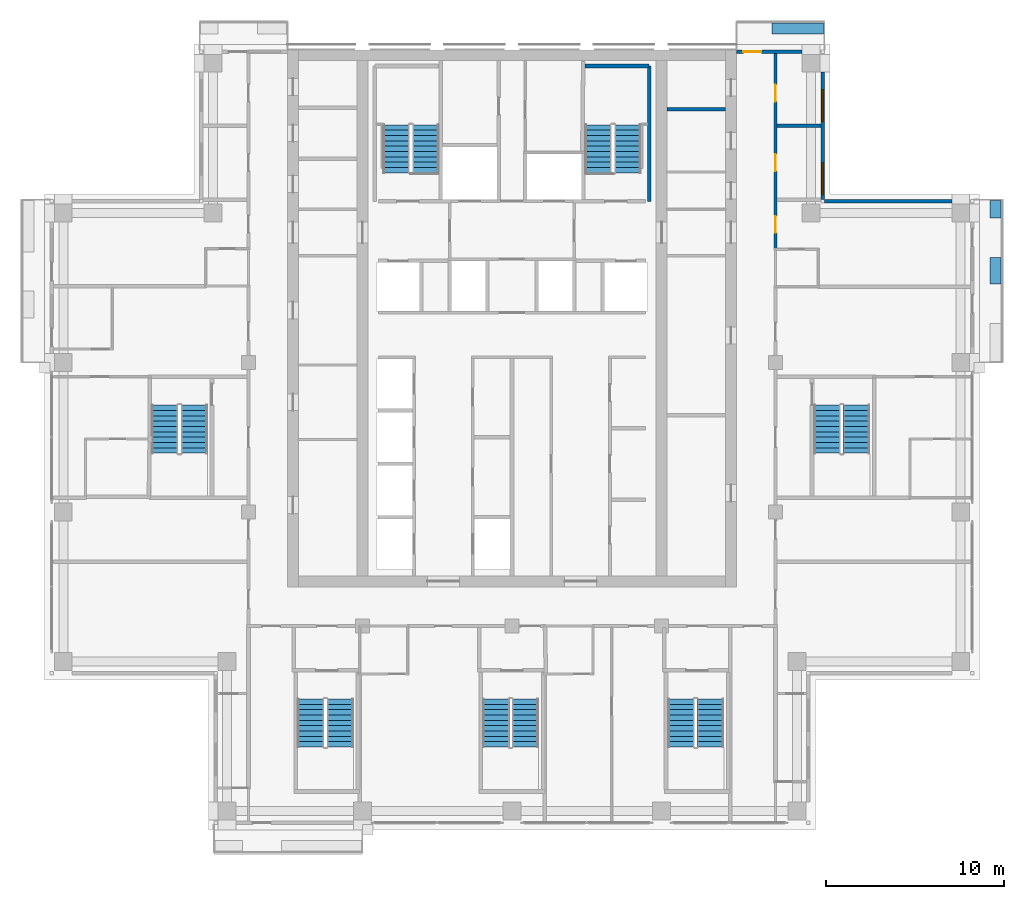
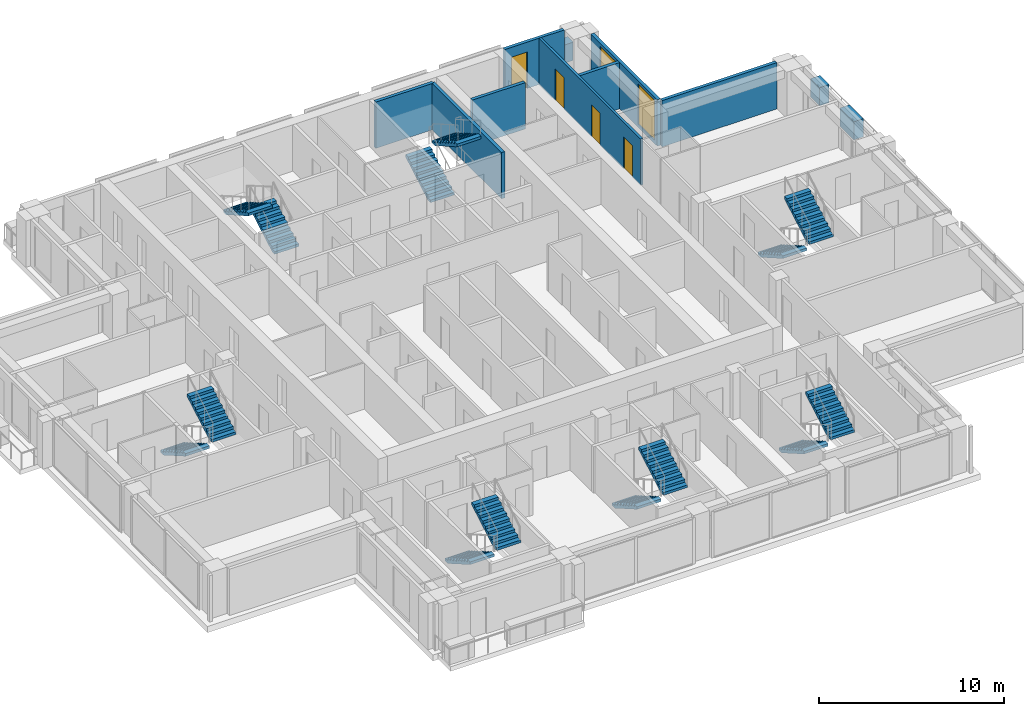
# One storey, part 13 of 16: 14 stair flights, 11 walls, 4 doors, 2 windows, 6 openings, 7 elements without a shape of their own.
"""IFC4 building model written with IfcOpenShell, lengths in metres."""

from ifc_helpers import new_model, si_unit, direction, frame, frame_2d, origin, place, context, subcontext, project, spatial, polyline, rectangle, outline, extrude, material, layer, layer_set, type_object, element, fill, aggregate, save


model = new_model("IFC4")

# Units and contexts
model_context = context("Model", 3, precision=1e-05, world=origin(), true_north=direction((0.0, 1.0)))
body_context = subcontext(model_context, "Body", "Model", "MODEL_VIEW")
ifc_project = project(units=[si_unit("LENGTHUNIT", "METRE"), si_unit("AREAUNIT", "SQUARE_METRE"), si_unit("VOLUMEUNIT", "CUBIC_METRE"), si_unit("PLANEANGLEUNIT", "RADIAN"), si_unit("MASSUNIT", "GRAM", prefix="KILO")], contexts=[model_context])

# Site, building, storey
site_placement = place(None, origin())
site = spatial("IfcSite", under=ifc_project, at=site_placement, CompositionType="ELEMENT")
building_placement = place(site_placement, origin())
building = spatial("IfcBuilding", under=site, at=building_placement, Name="Vermilion Ogive Tower", CompositionType="ELEMENT")
storey_placement = place(building_placement, frame((0.0, 0.0, 179.0)))
storey = spatial("IfcBuildingStorey", under=building, at=storey_placement, Name="L46", CompositionType="ELEMENT", Elevation=179.0)

# Wall, openings, doors
ifc_material_1 = material(Name="Gypsum board partition on steel studs", Category="steel")
ifc_layer_1 = layer(ifc_material_1, 0.14990234375)
ifc_layer_set_1 = layer_set([ifc_layer_1], Name="Partition 150 corridor")
wall_type_1 = type_object("IfcWallType", Name="Partition 150 corridor", PredefinedType="PARTITIONING", material=ifc_layer_set_1)
wall_1_placement = place(storey_placement, frame((14.800048828125, 10.60009765625, 0.0), z_axis=(0.0, 0.0, 1.0), x_axis=(0.0, 1.0, 0.0)))
wall_1 = element("IfcWall", 1, at=wall_1_placement, inside=storey, type_object=wall_type_1, Name="L46-W-W074", PredefinedType="PARTITIONING", context=body_context, shape_type="SweptSolid", body=[
    extrude(rectangle(XDim=10.949951171875, YDim=0.14990234375, at=frame_2d((5.47509765625, 0.0))), origin(), (0.0, 0.0, 1.0), 3.050048828125),
])
opening_1_placement = place(wall_1_placement, frame((0.875, 0.0, 0.0)))
opening_1 = element("IfcOpeningElement", 2, at=opening_1_placement, cuts=wall_1, Name="Opening D4G1023", PredefinedType="OPENING", context=body_context, shape_type="SweptSolid", body=[
    extrude(rectangle(XDim=0.949951171875, YDim=2.10009765625, at=frame_2d((0.47509765625, 1.050048828125))), frame((0.0, 0.0849609375, 0.0), z_axis=(0.0, -1.0, 0.0), x_axis=(1.0, 0.0, 0.0)), (0.0, 0.0, 1.0), 0.169921875),
])
opening_2_placement = place(wall_1_placement, frame((4.349853515625, 0.0, 0.0)))
opening_2 = element("IfcOpeningElement", 3, at=opening_2_placement, cuts=wall_1, Name="Opening D4G1025", PredefinedType="OPENING", context=body_context, shape_type="SweptSolid", body=[
    extrude(rectangle(XDim=0.949951171875, YDim=2.10009765625, at=frame_2d((0.47509765625, 1.050048828125))), frame((0.0, 0.0849609375, 0.0), z_axis=(0.0, -1.0, 0.0), x_axis=(1.0, 0.0, 0.0)), (0.0, 0.0, 1.0), 0.169921875),
])
opening_3_placement = place(wall_1_placement, frame((8.25, 0.0, 0.0)))
opening_3 = element("IfcOpeningElement", 4, at=opening_3_placement, cuts=wall_1, Name="Opening D4G1026", PredefinedType="OPENING", context=body_context, shape_type="SweptSolid", body=[
    extrude(rectangle(XDim=0.949951171875, YDim=2.10009765625, at=frame_2d((0.47509765625, 1.050048828125))), frame((0.0, 0.0849609375, 0.0), z_axis=(0.0, -1.0, 0.0), x_axis=(1.0, 0.0, 0.0)), (0.0, 0.0, 1.0), 0.169921875),
])
ifc_material_2 = material(Name="Timber door leaf", Category="wood")
door_type_1 = type_object("IfcDoorType", Name="Unit door 950 x 2100 FD30S", OperationType="SINGLE_SWING_LEFT", PredefinedType="DOOR", material=ifc_material_2)
door_1_placement = place(opening_1_placement, origin())
door_1 = element("IfcDoor", 5, at=door_1_placement, inside=storey, type_object=door_type_1, Name="L46-D-D023", OperationType="SINGLE_SWING_RIGHT", OverallHeight=2.10009765625, OverallWidth=0.949951171875, PredefinedType="DOOR", context=body_context, shape_type="SweptSolid", body=[
    extrude(rectangle(XDim=0.949951171875, YDim=2.10009765625, at=frame_2d((0.47509765625, 1.050048828125))), frame((0.0, 0.02490234375, 0.0), z_axis=(0.0, -1.0, 0.0), x_axis=(1.0, 0.0, 0.0)), (0.0, 0.0, 1.0), 0.050048828125),
])
fill(opening_1, door_1)
door_2_placement = place(opening_2_placement, origin())
door_2 = element("IfcDoor", 6, at=door_2_placement, inside=storey, type_object=door_type_1, Name="L46-D-D025", OperationType="SINGLE_SWING_RIGHT", OverallHeight=2.10009765625, OverallWidth=0.949951171875, PredefinedType="DOOR", context=body_context, shape_type="SweptSolid", body=[
    extrude(rectangle(XDim=0.949951171875, YDim=2.10009765625, at=frame_2d((0.47509765625, 1.050048828125))), frame((0.0, 0.02490234375, 0.0), z_axis=(0.0, -1.0, 0.0), x_axis=(1.0, 0.0, 0.0)), (0.0, 0.0, 1.0), 0.050048828125),
])
fill(opening_2, door_2)
door_3_placement = place(opening_3_placement, origin())
door_3 = element("IfcDoor", 7, at=door_3_placement, inside=storey, type_object=door_type_1, Name="L46-D-D026", OperationType="SINGLE_SWING_LEFT", OverallHeight=2.10009765625, OverallWidth=0.949951171875, PredefinedType="DOOR", context=body_context, shape_type="SweptSolid", body=[
    extrude(rectangle(XDim=0.949951171875, YDim=2.10009765625, at=frame_2d((0.47509765625, 1.050048828125))), frame((0.0, 0.02490234375, 0.0), z_axis=(0.0, -1.0, 0.0), x_axis=(1.0, 0.0, 0.0)), (0.0, 0.0, 1.0), 0.050048828125),
])
fill(opening_3, door_3)

# Walls
ifc_material_3 = material(Name="Gypsum board partition on steel studs", Category="steel")
ifc_layer_2 = layer(ifc_material_3, 0.199951171875)
ifc_layer_set_2 = layer_set([ifc_layer_2], Name="Partition 200 party")
wall_type_2 = type_object("IfcWallType", Name="Partition 200 party", PredefinedType="PARTITIONING", material=ifc_layer_set_2)
wall_2_placement = place(storey_placement, frame((14.875, 17.5, 0.0), z_axis=(0.0, 0.0, 1.0), x_axis=(1.0, 0.0, 0.0)))
element("IfcWall", 8, at=wall_2_placement, inside=storey, type_object=wall_type_2, Name="L46-W-W041", PredefinedType="PARTITIONING", context=body_context, shape_type="SweptSolid", body=[
    extrude(rectangle(XDim=2.47509765625, YDim=0.199951171875, at=frame_2d((1.237548828125, 0.0))), origin(), (0.0, 0.0, 1.0), 3.050048828125),
])
wall_3_placement = place(storey_placement, frame((8.700927734375, 18.410888671875, 0.0), z_axis=(0.0, 0.0, 1.0), x_axis=(1.0, 0.0, 0.0)))
element("IfcWall", 9, at=wall_3_placement, inside=storey, type_object=wall_type_2, Name="L46-CKE-W-W005", PredefinedType="PARTITIONING", context=body_context, shape_type="SweptSolid", body=[
    extrude(rectangle(XDim=3.298095703125, YDim=0.199951171875, at=frame_2d((1.64892578125, 0.0))), origin(), (0.0, 0.0, 1.0), 3.050048828125),
])
ifc_material_4 = material(Name="Concrete B60", Category="concrete")
ifc_layer_3 = layer(ifc_material_4, 0.199951171875)
ifc_layer_set_3 = layer_set([ifc_layer_3], Name="Stair shaft wall 200 Concrete B60")
wall_type_3 = type_object("IfcWallType", Name="Stair shaft wall 200 Concrete B60", PredefinedType="SOLIDWALL", material=ifc_layer_set_3)
wall_4_placement = place(storey_placement, frame((7.699951171875, 13.25, 0.0), z_axis=(0.0, 0.0, 1.0), x_axis=(0.0, 1.0, 0.0)))
element("IfcWall", 10, at=wall_4_placement, inside=storey, type_object=wall_type_3, Name="L46-SW-R021-E1", PredefinedType="SOLIDWALL", context=body_context, shape_type="SweptSolid", body=[
    extrude(rectangle(XDim=7.60009765625, YDim=0.199951171875, at=frame_2d((3.800048828125, 0.0))), origin(), (0.0, 0.0, 1.0), 3.050048828125),
])
wall_5_placement = place(storey_placement, frame((4.10009765625, 20.85009765625, 0.0), z_axis=(0.0, 0.0, 1.0), x_axis=(1.0, 0.0, 0.0)))
element("IfcWall", 11, at=wall_5_placement, inside=storey, type_object=wall_type_3, Name="L46-SW-R021-N1", PredefinedType="SOLIDWALL", context=body_context, shape_type="SweptSolid", body=[
    extrude(rectangle(XDim=3.599853515625, YDim=0.199951171875, at=frame_2d((1.7998046875, 0.0))), origin(), (0.0, 0.0, 1.0), 3.050048828125),
])
ifc_material_5 = material(Name="Concrete B40", Category="concrete")
ifc_layer_4 = layer(ifc_material_5, 0.60009765625)
ifc_layer_set_4 = layer_set([ifc_layer_4], Name="Structural planter")
wall_type_4 = type_object("IfcWallType", Name="Structural planter", PredefinedType="USERDEFINED", material=ifc_layer_set_4)
wall_6_placement = place(storey_placement, frame((27.154052734375, 8.60009765625, -0.0400390625), z_axis=(0.0, 0.0, 1.0), x_axis=(0.0, 1.0, 0.0)))
element("IfcWall", 12, at=wall_6_placement, inside=storey, type_object=wall_type_4, Name="Planter E03A2", ObjectType="PLANTER", PredefinedType="USERDEFINED", context=body_context, shape_type="SweptSolid", body=[
    extrude(rectangle(XDim=1.5, YDim=0.60009765625, at=frame_2d((0.75, 0.0))), origin(), (0.0, 0.0, 1.0), 1.199951171875),
])
wall_7_placement = place(storey_placement, frame((27.154052734375, 12.300048828125, -0.0400390625), z_axis=(0.0, 0.0, 1.0), x_axis=(0.0, 1.0, 0.0)))
element("IfcWall", 13, at=wall_7_placement, inside=storey, type_object=wall_type_4, Name="Planter E03A3", ObjectType="PLANTER", PredefinedType="USERDEFINED", context=body_context, shape_type="SweptSolid", body=[
    extrude(rectangle(XDim=0.989990234375, YDim=0.60009765625, at=frame_2d((0.4951171875, 0.0))), origin(), (0.0, 0.0, 1.0), 1.199951171875),
])
wall_8_placement = place(storey_placement, frame((17.489990234375, 22.9541015625, -0.0400390625), z_axis=(0.0, 0.0, 1.0), x_axis=(-1.0, 0.0, 0.0)))
element("IfcWall", 14, at=wall_8_placement, inside=storey, type_object=wall_type_4, Name="Planter N101A1", ObjectType="PLANTER", PredefinedType="USERDEFINED", context=body_context, shape_type="SweptSolid", body=[
    extrude(rectangle(XDim=2.889892578125, YDim=0.60009765625, at=frame_2d((1.44482421875, 0.0))), origin(), (0.0, 0.0, 1.0), 1.199951171875),
])
ifc_material_6 = material(Name="Aluminium window wall framing", Category="aluminium")
ifc_layer_5 = layer(ifc_material_6, 0.199951171875)
ifc_layer_set_5 = layer_set([ifc_layer_5], Name="Window wall")
wall_type_5 = type_object("IfcWallType", Name="Window wall", PredefinedType="STANDARD", material=ifc_layer_set_5)
wall_9_placement = place(storey_placement, frame((24.699951171875, 13.25, 0.0), z_axis=(0.0, 0.0, 1.0), x_axis=(-1.0, 0.0, 0.0)))
element("IfcWall", 15, at=wall_9_placement, inside=storey, type_object=wall_type_5, Name="Window wall X31", PredefinedType="STANDARD", context=body_context, shape_type="SweptSolid", body=[
    extrude(rectangle(XDim=7.14990234375, YDim=0.199951171875, at=frame_2d((3.574951171875, 0.0))), origin(), (0.0, 0.0, 1.0), 3.050048828125),
])

# Wall, openings, windows
wall_10_placement = place(storey_placement, frame((17.449951171875, 13.35009765625, 0.0), z_axis=(0.0, 0.0, 1.0), x_axis=(0.0, 1.0, 0.0)))
wall_10 = element("IfcWall", 16, at=wall_10_placement, inside=storey, type_object=wall_type_5, Name="Window wall X41", PredefinedType="STANDARD", context=body_context, shape_type="SweptSolid", body=[
    extrude(rectangle(XDim=7.14990234375, YDim=0.199951171875, at=frame_2d((3.574951171875, 0.0))), origin(), (0.0, 0.0, 1.0), 3.050048828125),
])
opening_4_placement = place(wall_10_placement, frame((0.27490234375, 0.0, 0.199951171875)))
opening_4 = element("IfcOpeningElement", 17, at=opening_4_placement, cuts=wall_10, Name="Opening W1-X403", PredefinedType="OPENING", context=body_context, shape_type="SweptSolid", body=[
    extrude(rectangle(XDim=1.800048828125, YDim=2.64990234375, at=frame_2d((0.89990234375, 1.324951171875))), frame((0.0, 0.10986328125, 0.0), z_axis=(0.0, -1.0, 0.0), x_axis=(1.0, 0.0, 0.0)), (0.0, 0.0, 1.0), 0.219970703125),
])
opening_5_placement = place(wall_10_placement, frame((4.3701171875, 0.0, 0.199951171875)))
opening_5 = element("IfcOpeningElement", 18, at=opening_5_placement, cuts=wall_10, Name="Opening W1-X404", PredefinedType="OPENING", context=body_context, shape_type="SweptSolid", body=[
    extrude(rectangle(XDim=1.800048828125, YDim=2.64990234375, at=frame_2d((0.89990234375, 1.324951171875))), frame((0.0, 0.10986328125, 0.0), z_axis=(0.0, -1.0, 0.0), x_axis=(1.0, 0.0, 0.0)), (0.0, 0.0, 1.0), 0.219970703125),
])
ifc_material_7 = material(Name="Aluminium framed double glazing", Category="aluminium")
window_type = type_object("IfcWindowType", Name="Guest window W1", PartitioningType="SINGLE_PANEL", PredefinedType="WINDOW", material=ifc_material_7)
window_1_placement = place(opening_4_placement, origin())
window_1 = element("IfcWindow", 19, at=window_1_placement, inside=storey, type_object=window_type, Name="Window X403", OverallHeight=2.64990234375, OverallWidth=1.800048828125, PartitioningType="SINGLE_PANEL", PredefinedType="WINDOW", context=body_context, shape_type="SweptSolid", body=[
    extrude(rectangle(XDim=1.800048828125, YDim=2.64990234375, at=frame_2d((0.89990234375, 1.324951171875))), frame((0.0, 0.030029296875, 0.0), z_axis=(0.0, -1.0, 0.0), x_axis=(1.0, 0.0, 0.0)), (0.0, 0.0, 1.0), 0.06005859375),
])
fill(opening_4, window_1)
window_2_placement = place(opening_5_placement, origin())
window_2 = element("IfcWindow", 20, at=window_2_placement, inside=storey, type_object=window_type, Name="Window X404", OverallHeight=2.64990234375, OverallWidth=1.800048828125, PartitioningType="SINGLE_PANEL", PredefinedType="WINDOW", context=body_context, shape_type="SweptSolid", body=[
    extrude(rectangle(XDim=1.800048828125, YDim=2.64990234375, at=frame_2d((0.89990234375, 1.324951171875))), frame((0.0, 0.030029296875, 0.0), z_axis=(0.0, -1.0, 0.0), x_axis=(1.0, 0.0, 0.0)), (0.0, 0.0, 1.0), 0.06005859375),
])
fill(opening_5, window_2)

# Wall, opening, door
wall_11_placement = place(storey_placement, frame((16.300048828125, 21.64990234375, 0.0), z_axis=(0.0, 0.0, 1.0), x_axis=(-1.0, 0.0, 0.0)))
wall_11 = element("IfcWall", 21, at=wall_11_placement, inside=storey, type_object=wall_type_5, Name="Window wall N11", PredefinedType="STANDARD", context=body_context, shape_type="SweptSolid", body=[
    extrude(rectangle(XDim=3.699951171875, YDim=0.199951171875, at=frame_2d((1.85009765625, 0.0))), origin(), (0.0, 0.0, 1.0), 3.050048828125),
])
opening_6_placement = place(wall_11_placement, frame((2.300048828125, 0.0, 0.0)))
opening_6 = element("IfcOpeningElement", 22, at=opening_6_placement, cuts=wall_11, Name="Opening D1-N103", PredefinedType="OPENING", context=body_context, shape_type="SweptSolid", body=[
    extrude(rectangle(XDim=1.0, YDim=2.39990234375, at=frame_2d((0.5, 1.199951171875))), frame((0.0, 0.10986328125, 0.0), z_axis=(0.0, -1.0, 0.0), x_axis=(1.0, 0.0, 0.0)), (0.0, 0.0, 1.0), 0.219970703125),
])
ifc_material_8 = material(Name="Aluminium framed glazed door", Category="aluminium")
door_type_2 = type_object("IfcDoorType", Name="Balcony door D1", OperationType="SINGLE_SWING_LEFT", PredefinedType="DOOR", material=ifc_material_8)
door_4_placement = place(opening_6_placement, origin())
door_4 = element("IfcDoor", 23, at=door_4_placement, inside=storey, type_object=door_type_2, Name="Balcony door N103", OperationType="SINGLE_SWING_LEFT", OverallHeight=2.39990234375, OverallWidth=1.0, PredefinedType="DOOR", context=body_context, shape_type="SweptSolid", body=[
    extrude(rectangle(XDim=1.0, YDim=2.39990234375, at=frame_2d((0.5, 1.199951171875))), frame((0.0, 0.02490234375, 0.0), z_axis=(0.0, -1.0, 0.0), x_axis=(1.0, 0.0, 0.0)), (0.0, 0.0, 1.0), 0.050048828125),
])
fill(opening_6, door_4)

# Stair, stair flights
ifc_material_9 = material(Name="Concrete B40", Category="concrete")
stair_type = type_object("IfcStairType", Name="Exit stair 1500", PredefinedType="HALF_TURN_STAIR", material=ifc_material_9)
stair_1_placement = place(storey_placement, origin())
stair_1 = element("IfcStair", 24, at=stair_1_placement, inside=storey, type_object=stair_type, Name="L46 Exit Stair ST1", PredefinedType="HALF_TURN_STAIR")
ifc_material_10 = material(Name="Concrete B40", Category="concrete")
stair_flight_type = type_object("IfcStairFlightType", Name="Stair flight 1500", PredefinedType="STRAIGHT", material=ifc_material_10)
stair_flight_1_placement = place(storey_placement, frame((-4.85009765625, 14.85009765625, 0.0), z_axis=(0.0, 0.0, 1.0), x_axis=(0.0, 1.0, 0.0)))
stair_flight_1 = element("IfcStairFlight", 25, at=stair_flight_1_placement, type_object=stair_flight_type, Name="ST1 flight 1", NumberOfRisers=10, NumberOfTreads=9, PredefinedType="STRAIGHT", RiserHeight=0.1725, TreadLength=0.3, context=body_context, shape_type="SweptSolid", body=[
    extrude(outline(polyline([(0.0, 0.0), (0.0, 0.172607421875), (0.300048828125, 0.172607421875), (0.300048828125, 0.344970703125), (0.60009765625, 0.344970703125), (0.60009765625, 0.517578125), (0.89990234375, 0.517578125), (0.89990234375, 0.68994140625), (1.199951171875, 0.68994140625), (1.199951171875, 0.862548828125), (1.5, 0.862548828125), (1.5, 1.034912109375), (1.800048828125, 1.034912109375), (1.800048828125, 1.20751953125), (2.10009765625, 1.20751953125), (2.10009765625, 1.3798828125), (2.39990234375, 1.3798828125), (2.39990234375, 1.552490234375), (2.699951171875, 1.552490234375), (2.699951171875, 1.72509765625), (2.699951171875, 1.379638671875), (0.30078125, 0.0), (0.0, 0.0)])), frame((0.0, 0.75, 0.0), z_axis=(0.0, -1.0, 0.0), x_axis=(1.0, 0.0, 0.0)), (0.0, 0.0, 1.0), 1.5),
])
stair_flight_2_placement = place(storey_placement, frame((-6.5, 17.550048828125, 1.72509765625), z_axis=(0.0, 0.0, 1.0), x_axis=(0.0, -1.0, 0.0)))
stair_flight_2 = element("IfcStairFlight", 26, at=stair_flight_2_placement, type_object=stair_flight_type, Name="ST1 flight 2", NumberOfRisers=10, NumberOfTreads=9, PredefinedType="STRAIGHT", RiserHeight=0.1725, TreadLength=0.3, context=body_context, shape_type="SweptSolid", body=[
    extrude(outline(polyline([(0.0, 0.0), (0.0, 0.172607421875), (0.300048828125, 0.172607421875), (0.300048828125, 0.344970703125), (0.60009765625, 0.344970703125), (0.60009765625, 0.517578125), (0.89990234375, 0.517578125), (0.89990234375, 0.68994140625), (1.199951171875, 0.68994140625), (1.199951171875, 0.862548828125), (1.5, 0.862548828125), (1.5, 1.034912109375), (1.800048828125, 1.034912109375), (1.800048828125, 1.20751953125), (2.10009765625, 1.20751953125), (2.10009765625, 1.3798828125), (2.39990234375, 1.3798828125), (2.39990234375, 1.552490234375), (2.699951171875, 1.552490234375), (2.699951171875, 1.72509765625), (2.699951171875, 1.379638671875), (0.30078125, 0.0), (0.0, 0.0)])), frame((0.0, 0.75, 0.0), z_axis=(0.0, -1.0, 0.0), x_axis=(1.0, 0.0, 0.0)), (0.0, 0.0, 1.0), 1.5),
])
aggregate(stair_1, [stair_flight_1, stair_flight_2])

stair_2_placement = place(storey_placement, origin())
stair_2 = element("IfcStair", 27, at=stair_2_placement, inside=storey, type_object=stair_type, Name="L46 Exit Stair ST2", PredefinedType="HALF_TURN_STAIR")
stair_flight_3_placement = place(storey_placement, frame((4.85009765625, 14.85009765625, 0.0), z_axis=(0.0, 0.0, 1.0), x_axis=(0.0, 1.0, 0.0)))
stair_flight_3 = element("IfcStairFlight", 28, at=stair_flight_3_placement, type_object=stair_flight_type, Name="ST2 flight 1", NumberOfRisers=10, NumberOfTreads=9, PredefinedType="STRAIGHT", RiserHeight=0.1725, TreadLength=0.3, context=body_context, shape_type="SweptSolid", body=[
    extrude(outline(polyline([(0.0, 0.0), (0.0, 0.172607421875), (0.300048828125, 0.172607421875), (0.300048828125, 0.344970703125), (0.60009765625, 0.344970703125), (0.60009765625, 0.517578125), (0.89990234375, 0.517578125), (0.89990234375, 0.68994140625), (1.199951171875, 0.68994140625), (1.199951171875, 0.862548828125), (1.5, 0.862548828125), (1.5, 1.034912109375), (1.800048828125, 1.034912109375), (1.800048828125, 1.20751953125), (2.10009765625, 1.20751953125), (2.10009765625, 1.3798828125), (2.39990234375, 1.3798828125), (2.39990234375, 1.552490234375), (2.699951171875, 1.552490234375), (2.699951171875, 1.72509765625), (2.699951171875, 1.379638671875), (0.30078125, 0.0), (0.0, 0.0)])), frame((0.0, 0.75, 0.0), z_axis=(0.0, -1.0, 0.0), x_axis=(1.0, 0.0, 0.0)), (0.0, 0.0, 1.0), 1.5),
])
stair_flight_4_placement = place(storey_placement, frame((6.5, 17.550048828125, 1.72509765625), z_axis=(0.0, 0.0, 1.0), x_axis=(0.0, -1.0, 0.0)))
stair_flight_4 = element("IfcStairFlight", 29, at=stair_flight_4_placement, type_object=stair_flight_type, Name="ST2 flight 2", NumberOfRisers=10, NumberOfTreads=9, PredefinedType="STRAIGHT", RiserHeight=0.1725, TreadLength=0.3, context=body_context, shape_type="SweptSolid", body=[
    extrude(outline(polyline([(0.0, 0.0), (0.0, 0.172607421875), (0.300048828125, 0.172607421875), (0.300048828125, 0.344970703125), (0.60009765625, 0.344970703125), (0.60009765625, 0.517578125), (0.89990234375, 0.517578125), (0.89990234375, 0.68994140625), (1.199951171875, 0.68994140625), (1.199951171875, 0.862548828125), (1.5, 0.862548828125), (1.5, 1.034912109375), (1.800048828125, 1.034912109375), (1.800048828125, 1.20751953125), (2.10009765625, 1.20751953125), (2.10009765625, 1.3798828125), (2.39990234375, 1.3798828125), (2.39990234375, 1.552490234375), (2.699951171875, 1.552490234375), (2.699951171875, 1.72509765625), (2.699951171875, 1.379638671875), (0.30078125, 0.0), (0.0, 0.0)])), frame((0.0, 0.75, 0.0), z_axis=(0.0, -1.0, 0.0), x_axis=(1.0, 0.0, 0.0)), (0.0, 0.0, 1.0), 1.5),
])
aggregate(stair_2, [stair_flight_3, stair_flight_4])

stair_3_placement = place(storey_placement, origin())
stair_3 = element("IfcStair", 30, at=stair_3_placement, inside=storey, type_object=stair_type, Name="L46 Exit Stair ST3", PredefinedType="HALF_TURN_STAIR")
stair_flight_5_placement = place(storey_placement, frame((-11.300048828125, -14.699951171875, 0.0), z_axis=(0.0, 0.0, 1.0), x_axis=(0.0, -1.0, 0.0)))
stair_flight_5 = element("IfcStairFlight", 31, at=stair_flight_5_placement, type_object=stair_flight_type, Name="ST3 flight 1", NumberOfRisers=10, NumberOfTreads=9, PredefinedType="STRAIGHT", RiserHeight=0.1725, TreadLength=0.3, context=body_context, shape_type="SweptSolid", body=[
    extrude(outline(polyline([(0.0, 0.0), (0.0, 0.172607421875), (0.300048828125, 0.172607421875), (0.300048828125, 0.344970703125), (0.60009765625, 0.344970703125), (0.60009765625, 0.517578125), (0.89990234375, 0.517578125), (0.89990234375, 0.68994140625), (1.199951171875, 0.68994140625), (1.199951171875, 0.862548828125), (1.5, 0.862548828125), (1.5, 1.034912109375), (1.800048828125, 1.034912109375), (1.800048828125, 1.20751953125), (2.10009765625, 1.20751953125), (2.10009765625, 1.3798828125), (2.39990234375, 1.3798828125), (2.39990234375, 1.552490234375), (2.699951171875, 1.552490234375), (2.699951171875, 1.72509765625), (2.699951171875, 1.379638671875), (0.30078125, 0.0), (0.0, 0.0)])), frame((0.0, 0.75, 0.0), z_axis=(0.0, -1.0, 0.0), x_axis=(1.0, 0.0, 0.0)), (0.0, 0.0, 1.0), 1.5),
])
stair_flight_6_placement = place(storey_placement, frame((-9.64990234375, -17.39990234375, 1.72509765625), z_axis=(0.0, 0.0, 1.0), x_axis=(0.0, 1.0, 0.0)))
stair_flight_6 = element("IfcStairFlight", 32, at=stair_flight_6_placement, type_object=stair_flight_type, Name="ST3 flight 2", NumberOfRisers=10, NumberOfTreads=9, PredefinedType="STRAIGHT", RiserHeight=0.1725, TreadLength=0.3, context=body_context, shape_type="SweptSolid", body=[
    extrude(outline(polyline([(0.0, 0.0), (0.0, 0.172607421875), (0.300048828125, 0.172607421875), (0.300048828125, 0.344970703125), (0.60009765625, 0.344970703125), (0.60009765625, 0.517578125), (0.89990234375, 0.517578125), (0.89990234375, 0.68994140625), (1.199951171875, 0.68994140625), (1.199951171875, 0.862548828125), (1.5, 0.862548828125), (1.5, 1.034912109375), (1.800048828125, 1.034912109375), (1.800048828125, 1.20751953125), (2.10009765625, 1.20751953125), (2.10009765625, 1.3798828125), (2.39990234375, 1.3798828125), (2.39990234375, 1.552490234375), (2.699951171875, 1.552490234375), (2.699951171875, 1.72509765625), (2.699951171875, 1.379638671875), (0.30078125, 0.0), (0.0, 0.0)])), frame((0.0, 0.75, 0.0), z_axis=(0.0, -1.0, 0.0), x_axis=(1.0, 0.0, 0.0)), (0.0, 0.0, 1.0), 1.5),
])
aggregate(stair_3, [stair_flight_5, stair_flight_6])

stair_4_placement = place(storey_placement, origin())
stair_4 = element("IfcStair", 33, at=stair_4_placement, inside=storey, type_object=stair_type, Name="L46 Exit Stair ST4", PredefinedType="HALF_TURN_STAIR")
stair_flight_7_placement = place(storey_placement, frame((-0.89990234375, -14.699951171875, 0.0), z_axis=(0.0, 0.0, 1.0), x_axis=(0.0, -1.0, 0.0)))
stair_flight_7 = element("IfcStairFlight", 34, at=stair_flight_7_placement, type_object=stair_flight_type, Name="ST4 flight 1", NumberOfRisers=10, NumberOfTreads=9, PredefinedType="STRAIGHT", RiserHeight=0.1725, TreadLength=0.3, context=body_context, shape_type="SweptSolid", body=[
    extrude(outline(polyline([(0.0, 0.0), (0.0, 0.172607421875), (0.300048828125, 0.172607421875), (0.300048828125, 0.344970703125), (0.60009765625, 0.344970703125), (0.60009765625, 0.517578125), (0.89990234375, 0.517578125), (0.89990234375, 0.68994140625), (1.199951171875, 0.68994140625), (1.199951171875, 0.862548828125), (1.5, 0.862548828125), (1.5, 1.034912109375), (1.800048828125, 1.034912109375), (1.800048828125, 1.20751953125), (2.10009765625, 1.20751953125), (2.10009765625, 1.3798828125), (2.39990234375, 1.3798828125), (2.39990234375, 1.552490234375), (2.699951171875, 1.552490234375), (2.699951171875, 1.72509765625), (2.699951171875, 1.379638671875), (0.30078125, 0.0), (0.0, 0.0)])), frame((0.0, 0.75, 0.0), z_axis=(0.0, -1.0, 0.0), x_axis=(1.0, 0.0, 0.0)), (0.0, 0.0, 1.0), 1.5),
])
stair_flight_8_placement = place(storey_placement, frame((0.75, -17.39990234375, 1.72509765625), z_axis=(0.0, 0.0, 1.0), x_axis=(0.0, 1.0, 0.0)))
stair_flight_8 = element("IfcStairFlight", 35, at=stair_flight_8_placement, type_object=stair_flight_type, Name="ST4 flight 2", NumberOfRisers=10, NumberOfTreads=9, PredefinedType="STRAIGHT", RiserHeight=0.1725, TreadLength=0.3, context=body_context, shape_type="SweptSolid", body=[
    extrude(outline(polyline([(0.0, 0.0), (0.0, 0.172607421875), (0.300048828125, 0.172607421875), (0.300048828125, 0.344970703125), (0.60009765625, 0.344970703125), (0.60009765625, 0.517578125), (0.89990234375, 0.517578125), (0.89990234375, 0.68994140625), (1.199951171875, 0.68994140625), (1.199951171875, 0.862548828125), (1.5, 0.862548828125), (1.5, 1.034912109375), (1.800048828125, 1.034912109375), (1.800048828125, 1.20751953125), (2.10009765625, 1.20751953125), (2.10009765625, 1.3798828125), (2.39990234375, 1.3798828125), (2.39990234375, 1.552490234375), (2.699951171875, 1.552490234375), (2.699951171875, 1.72509765625), (2.699951171875, 1.379638671875), (0.30078125, 0.0), (0.0, 0.0)])), frame((0.0, 0.75, 0.0), z_axis=(0.0, -1.0, 0.0), x_axis=(1.0, 0.0, 0.0)), (0.0, 0.0, 1.0), 1.5),
])
aggregate(stair_4, [stair_flight_7, stair_flight_8])

stair_5_placement = place(storey_placement, origin())
stair_5 = element("IfcStair", 36, at=stair_5_placement, inside=storey, type_object=stair_type, Name="L46 Exit Stair ST5", PredefinedType="HALF_TURN_STAIR")
stair_flight_9_placement = place(storey_placement, frame((9.5, -14.699951171875, 0.0), z_axis=(0.0, 0.0, 1.0), x_axis=(0.0, -1.0, 0.0)))
stair_flight_9 = element("IfcStairFlight", 37, at=stair_flight_9_placement, type_object=stair_flight_type, Name="ST5 flight 1", NumberOfRisers=10, NumberOfTreads=9, PredefinedType="STRAIGHT", RiserHeight=0.1725, TreadLength=0.3, context=body_context, shape_type="SweptSolid", body=[
    extrude(outline(polyline([(0.0, 0.0), (0.0, 0.172607421875), (0.300048828125, 0.172607421875), (0.300048828125, 0.344970703125), (0.60009765625, 0.344970703125), (0.60009765625, 0.517578125), (0.89990234375, 0.517578125), (0.89990234375, 0.68994140625), (1.199951171875, 0.68994140625), (1.199951171875, 0.862548828125), (1.5, 0.862548828125), (1.5, 1.034912109375), (1.800048828125, 1.034912109375), (1.800048828125, 1.20751953125), (2.10009765625, 1.20751953125), (2.10009765625, 1.3798828125), (2.39990234375, 1.3798828125), (2.39990234375, 1.552490234375), (2.699951171875, 1.552490234375), (2.699951171875, 1.72509765625), (2.699951171875, 1.379638671875), (0.30078125, 0.0), (0.0, 0.0)])), frame((0.0, 0.75, 0.0), z_axis=(0.0, -1.0, 0.0), x_axis=(1.0, 0.0, 0.0)), (0.0, 0.0, 1.0), 1.5),
])
stair_flight_10_placement = place(storey_placement, frame((11.14990234375, -17.39990234375, 1.72509765625), z_axis=(0.0, 0.0, 1.0), x_axis=(0.0, 1.0, 0.0)))
stair_flight_10 = element("IfcStairFlight", 38, at=stair_flight_10_placement, type_object=stair_flight_type, Name="ST5 flight 2", NumberOfRisers=10, NumberOfTreads=9, PredefinedType="STRAIGHT", RiserHeight=0.1725, TreadLength=0.3, context=body_context, shape_type="SweptSolid", body=[
    extrude(outline(polyline([(0.0, 0.0), (0.0, 0.172607421875), (0.300048828125, 0.172607421875), (0.300048828125, 0.344970703125), (0.60009765625, 0.344970703125), (0.60009765625, 0.517578125), (0.89990234375, 0.517578125), (0.89990234375, 0.68994140625), (1.199951171875, 0.68994140625), (1.199951171875, 0.862548828125), (1.5, 0.862548828125), (1.5, 1.034912109375), (1.800048828125, 1.034912109375), (1.800048828125, 1.20751953125), (2.10009765625, 1.20751953125), (2.10009765625, 1.3798828125), (2.39990234375, 1.3798828125), (2.39990234375, 1.552490234375), (2.699951171875, 1.552490234375), (2.699951171875, 1.72509765625), (2.699951171875, 1.379638671875), (0.30078125, 0.0), (0.0, 0.0)])), frame((0.0, 0.75, 0.0), z_axis=(0.0, -1.0, 0.0), x_axis=(1.0, 0.0, 0.0)), (0.0, 0.0, 1.0), 1.5),
])
aggregate(stair_5, [stair_flight_9, stair_flight_10])

stair_6_placement = place(storey_placement, origin())
stair_6 = element("IfcStair", 39, at=stair_6_placement, inside=storey, type_object=stair_type, Name="L46 Exit Stair ST8", PredefinedType="HALF_TURN_STAIR")
stair_flight_11_placement = place(storey_placement, frame((17.699951171875, 1.800048828125, 0.0), z_axis=(0.0, 0.0, 1.0), x_axis=(0.0, -1.0, 0.0)))
stair_flight_11 = element("IfcStairFlight", 40, at=stair_flight_11_placement, type_object=stair_flight_type, Name="ST8 flight 1", NumberOfRisers=10, NumberOfTreads=9, PredefinedType="STRAIGHT", RiserHeight=0.1725, TreadLength=0.3, context=body_context, shape_type="SweptSolid", body=[
    extrude(outline(polyline([(0.0, 0.0), (0.0, 0.172607421875), (0.300048828125, 0.172607421875), (0.300048828125, 0.344970703125), (0.60009765625, 0.344970703125), (0.60009765625, 0.517578125), (0.89990234375, 0.517578125), (0.89990234375, 0.68994140625), (1.199951171875, 0.68994140625), (1.199951171875, 0.862548828125), (1.5, 0.862548828125), (1.5, 1.034912109375), (1.800048828125, 1.034912109375), (1.800048828125, 1.20751953125), (2.10009765625, 1.20751953125), (2.10009765625, 1.3798828125), (2.39990234375, 1.3798828125), (2.39990234375, 1.552490234375), (2.699951171875, 1.552490234375), (2.699951171875, 1.72509765625), (2.699951171875, 1.379638671875), (0.30078125, 0.0), (0.0, 0.0)])), frame((0.0, 0.75, 0.0), z_axis=(0.0, -1.0, 0.0), x_axis=(1.0, 0.0, 0.0)), (0.0, 0.0, 1.0), 1.5),
])
stair_flight_12_placement = place(storey_placement, frame((19.35009765625, -0.89990234375, 1.72509765625), z_axis=(0.0, 0.0, 1.0), x_axis=(0.0, 1.0, 0.0)))
stair_flight_12 = element("IfcStairFlight", 41, at=stair_flight_12_placement, type_object=stair_flight_type, Name="ST8 flight 2", NumberOfRisers=10, NumberOfTreads=9, PredefinedType="STRAIGHT", RiserHeight=0.1725, TreadLength=0.3, context=body_context, shape_type="SweptSolid", body=[
    extrude(outline(polyline([(0.0, 0.0), (0.0, 0.172607421875), (0.300048828125, 0.172607421875), (0.300048828125, 0.344970703125), (0.60009765625, 0.344970703125), (0.60009765625, 0.517578125), (0.89990234375, 0.517578125), (0.89990234375, 0.68994140625), (1.199951171875, 0.68994140625), (1.199951171875, 0.862548828125), (1.5, 0.862548828125), (1.5, 1.034912109375), (1.800048828125, 1.034912109375), (1.800048828125, 1.20751953125), (2.10009765625, 1.20751953125), (2.10009765625, 1.3798828125), (2.39990234375, 1.3798828125), (2.39990234375, 1.552490234375), (2.699951171875, 1.552490234375), (2.699951171875, 1.72509765625), (2.699951171875, 1.379638671875), (0.30078125, 0.0), (0.0, 0.0)])), frame((0.0, 0.75, 0.0), z_axis=(0.0, -1.0, 0.0), x_axis=(1.0, 0.0, 0.0)), (0.0, 0.0, 1.0), 1.5),
])
aggregate(stair_6, [stair_flight_11, stair_flight_12])

stair_7_placement = place(storey_placement, origin())
stair_7 = element("IfcStair", 42, at=stair_7_placement, inside=storey, type_object=stair_type, Name="L46 Exit Stair ST9", PredefinedType="HALF_TURN_STAIR")
stair_flight_13_placement = place(storey_placement, frame((-19.5, 1.800048828125, 0.0), z_axis=(0.0, 0.0, 1.0), x_axis=(0.0, -1.0, 0.0)))
stair_flight_13 = element("IfcStairFlight", 43, at=stair_flight_13_placement, type_object=stair_flight_type, Name="ST9 flight 1", NumberOfRisers=10, NumberOfTreads=9, PredefinedType="STRAIGHT", RiserHeight=0.1725, TreadLength=0.3, context=body_context, shape_type="SweptSolid", body=[
    extrude(outline(polyline([(0.0, 0.0), (0.0, 0.172607421875), (0.300048828125, 0.172607421875), (0.300048828125, 0.344970703125), (0.60009765625, 0.344970703125), (0.60009765625, 0.517578125), (0.89990234375, 0.517578125), (0.89990234375, 0.68994140625), (1.199951171875, 0.68994140625), (1.199951171875, 0.862548828125), (1.5, 0.862548828125), (1.5, 1.034912109375), (1.800048828125, 1.034912109375), (1.800048828125, 1.20751953125), (2.10009765625, 1.20751953125), (2.10009765625, 1.3798828125), (2.39990234375, 1.3798828125), (2.39990234375, 1.552490234375), (2.699951171875, 1.552490234375), (2.699951171875, 1.72509765625), (2.699951171875, 1.379638671875), (0.30078125, 0.0), (0.0, 0.0)])), frame((0.0, 0.75, 0.0), z_axis=(0.0, -1.0, 0.0), x_axis=(1.0, 0.0, 0.0)), (0.0, 0.0, 1.0), 1.5),
])
stair_flight_14_placement = place(storey_placement, frame((-17.85009765625, -0.89990234375, 1.72509765625), z_axis=(0.0, 0.0, 1.0), x_axis=(0.0, 1.0, 0.0)))
stair_flight_14 = element("IfcStairFlight", 44, at=stair_flight_14_placement, type_object=stair_flight_type, Name="ST9 flight 2", NumberOfRisers=10, NumberOfTreads=9, PredefinedType="STRAIGHT", RiserHeight=0.1725, TreadLength=0.3, context=body_context, shape_type="SweptSolid", body=[
    extrude(outline(polyline([(0.0, 0.0), (0.0, 0.172607421875), (0.300048828125, 0.172607421875), (0.300048828125, 0.344970703125), (0.60009765625, 0.344970703125), (0.60009765625, 0.517578125), (0.89990234375, 0.517578125), (0.89990234375, 0.68994140625), (1.199951171875, 0.68994140625), (1.199951171875, 0.862548828125), (1.5, 0.862548828125), (1.5, 1.034912109375), (1.800048828125, 1.034912109375), (1.800048828125, 1.20751953125), (2.10009765625, 1.20751953125), (2.10009765625, 1.3798828125), (2.39990234375, 1.3798828125), (2.39990234375, 1.552490234375), (2.699951171875, 1.552490234375), (2.699951171875, 1.72509765625), (2.699951171875, 1.379638671875), (0.30078125, 0.0), (0.0, 0.0)])), frame((0.0, 0.75, 0.0), z_axis=(0.0, -1.0, 0.0), x_axis=(1.0, 0.0, 0.0)), (0.0, 0.0, 1.0), 1.5),
])
aggregate(stair_7, [stair_flight_13, stair_flight_14])

save(model, "model.ifc")
